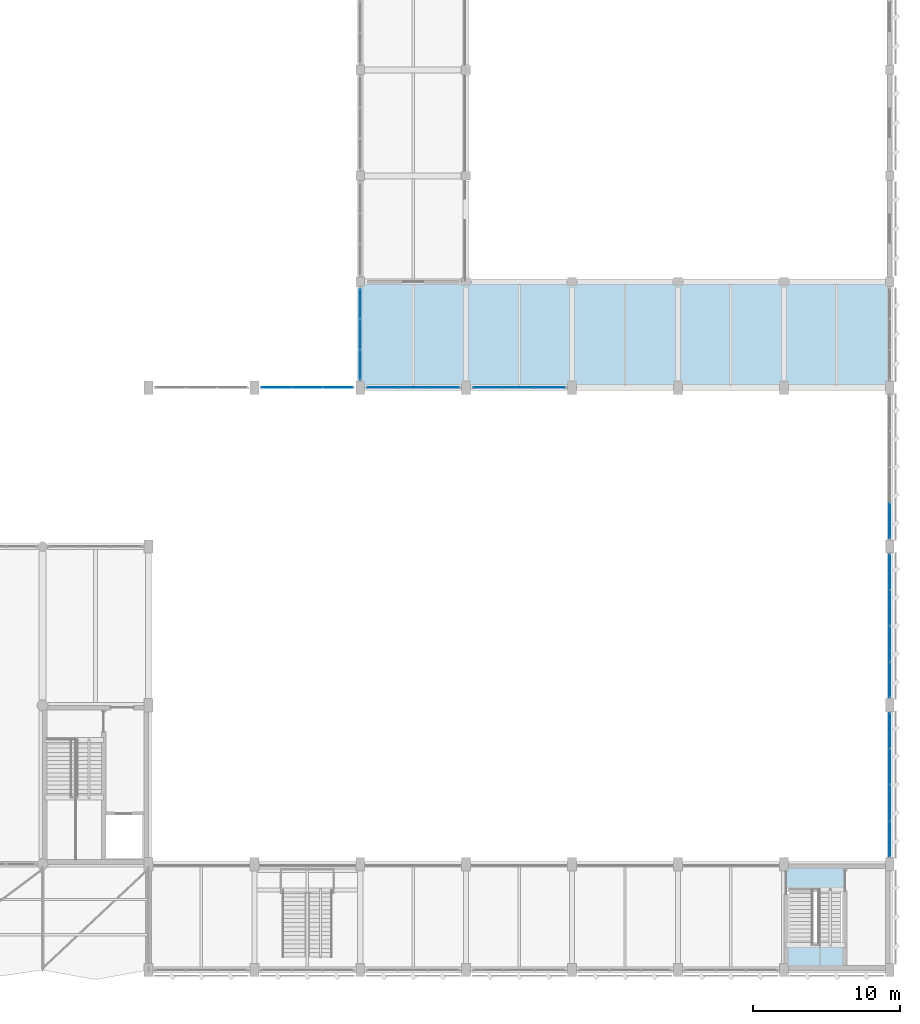
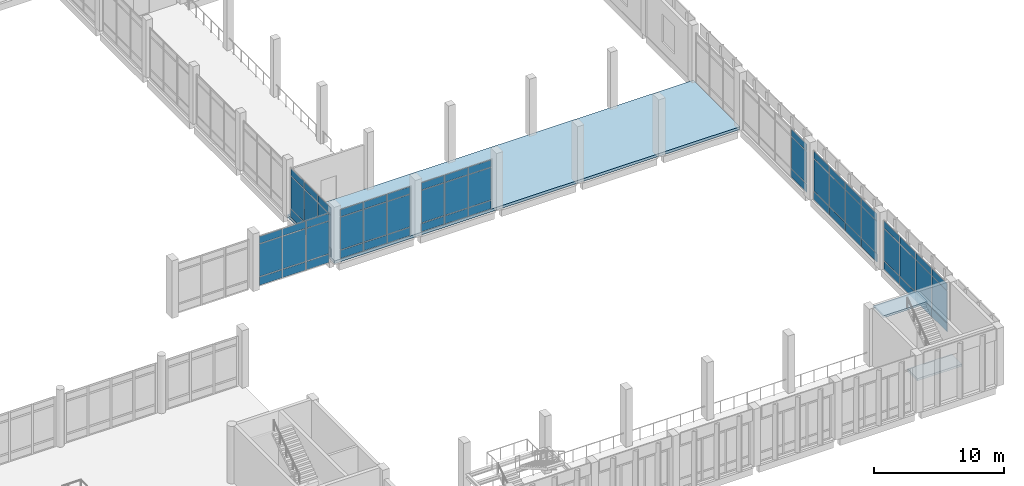
# One storey, part 149 of 180: 63 plates, 3 slabs, 8 elements without a shape of their own.
"""IFC4 building model written with IfcOpenShell, lengths in metres."""

import ifcopenshell
import ifcopenshell.guid

model = None  # the IFC model being written
_history = None  # IfcOwnerHistory: only IFC2X3 demands one
_inside = {}  # id of a spatial element -> (the spatial element, [elements in it])
_under = {}  # id of a project, library or spatial element -> (it, [spatial elements below it])
_declared = {}  # id of a project -> (the project, [libraries it declares])
_typed = {}  # id of a type object -> (the type object, [elements of that type])
_made_of = {}  # id of a material, layer set ... -> (it, [elements and type objects made of it])


def new_model(schema):
    """Start an empty IFC model of exactly this schema.

    Asked for "IFC4X3", IfcOpenShell would pick the latest addendum, in which some entities
    have other attributes; the version numbers below select the first issue.
    IFC2X3 requires an IfcOwnerHistory on every rooted entity: one is made here for all.
    """
    global model, _history
    if schema == "IFC4X3":
        model = ifcopenshell.file(schema_version=(4, 3, 0, 0))
    else:
        model = ifcopenshell.file(schema=schema)
    _inside.clear()
    _under.clear()
    _declared.clear()
    _typed.clear()
    _made_of.clear()
    _history = None
    if model.schema == "IFC2X3":
        org = make("IfcOrganization", Name="unknown")
        user = make(
            "IfcPersonAndOrganization",
            ThePerson=make("IfcPerson", FamilyName="unknown"),
            TheOrganization=org,
        )
        app = make(
            "IfcApplication",
            ApplicationDeveloper=org,
            Version="unknown",
            ApplicationFullName="unknown",
            ApplicationIdentifier="unknown",
        )
        _history = make(
            "IfcOwnerHistory",
            OwningUser=user,
            OwningApplication=app,
            ChangeAction="ADDED",
            CreationDate=0,
        )
    return model


def make(cls, **values):
    """One entity of the class cls with the attributes given. An attribute that is None is left unset."""
    return model.create_entity(
        cls, **{name: value for name, value in values.items() if value is not None}
    )


def rooted(cls, **values):
    """An entity with a GlobalId (a new one), such as an element, a storey or a relation."""
    return make(cls, GlobalId=ifcopenshell.guid.new(), OwnerHistory=_history, **values)


def si_unit(unit_type, name, prefix=None):
    """IfcSIUnit, for example si_unit("LENGTHUNIT", "METRE", prefix="MILLI")."""
    return make("IfcSIUnit", UnitType=unit_type, Prefix=prefix, Name=name)


def assignment(units):
    """IfcUnitAssignment: the units of a project."""
    return None if units is None else make("IfcUnitAssignment", Units=units)


def point(xyz):
    """IfcCartesianPoint."""
    return None if xyz is None else make("IfcCartesianPoint", Coordinates=xyz)


def direction(xyz):
    """IfcDirection."""
    return None if xyz is None else make("IfcDirection", DirectionRatios=xyz)


def frame(location, z_axis=None, x_axis=None):
    """IfcAxis2Placement3D, a coordinate frame: its origin and axes. An axis left out is left unset."""
    return make(
        "IfcAxis2Placement3D",
        Location=point(location),
        Axis=direction(z_axis),
        RefDirection=direction(x_axis),
    )


def frame_2d(location, x_axis=None):
    """IfcAxis2Placement2D, a coordinate frame in the plane: its origin and x axis."""
    return make(
        "IfcAxis2Placement2D", Location=point(location), RefDirection=direction(x_axis)
    )


def origin():
    """The frame at (0, 0, 0) with its axes left unset."""
    return frame((0.0, 0.0, 0.0))


def origin_2d():
    """The frame at (0, 0) in the plane with its x axis left unset."""
    return frame_2d((0.0, 0.0))


def place(relative_to, where):
    """IfcLocalPlacement: puts the frame where relative to a parent placement (None: the world)."""
    return make(
        "IfcLocalPlacement", PlacementRelTo=relative_to, RelativePlacement=where
    )


def context(
    kind, dimensions, precision=None, world=None, true_north=None, identifier=None
):
    """IfcGeometricRepresentationContext, for example the 3D "Model" context."""
    return make(
        "IfcGeometricRepresentationContext",
        ContextIdentifier=identifier,
        ContextType=kind,
        CoordinateSpaceDimension=dimensions,
        Precision=precision,
        WorldCoordinateSystem=world,
        TrueNorth=true_north,
    )


def subcontext(parent, identifier, kind, view, scale=None):
    """IfcGeometricRepresentationSubContext, for example "Body" below "Model"."""
    return make(
        "IfcGeometricRepresentationSubContext",
        ContextIdentifier=identifier,
        ContextType=kind,
        ParentContext=parent,
        TargetScale=scale,
        TargetView=view,
    )


def project(units=None, contexts=None):
    """IfcProject with its units and contexts."""
    return rooted(
        "IfcProject",
        Name="project",
        RepresentationContexts=contexts,
        UnitsInContext=assignment(units),
    )


def spatial(cls, under=None, at=None, **own):
    """A site, building, storey or space (cls), placed at a placement, below another one or the project."""
    s = rooted(cls, ObjectPlacement=at, **own)
    if under is not None:
        _under.setdefault(under.id(), (under, []))[1].append(s)
    return s


def polyline(points):
    """IfcPolyline through the points."""
    return make("IfcPolyline", Points=[point(p) for p in points])


def profile(cls, at=None, kind="AREA", **sizes):
    """A parametric profile (cls). Its sizes go by their IFC names, for example OverallWidth=200.0."""
    return make(cls, ProfileType=kind, Position=at, **sizes)


def rectangle(**sizes):
    """IfcRectangleProfileDef."""
    return profile("IfcRectangleProfileDef", **sizes)


def outline(outer, holes=None, kind="AREA"):
    """IfcArbitraryClosedProfileDef: a profile drawn as a closed curve; with holes, ...WithVoids."""
    if holes is None:
        return make("IfcArbitraryClosedProfileDef", ProfileType=kind, OuterCurve=outer)
    return make(
        "IfcArbitraryProfileDefWithVoids",
        ProfileType=kind,
        OuterCurve=outer,
        InnerCurves=holes,
    )


def extrude(swept, where, along, depth):
    """IfcExtrudedAreaSolid: the profile swept, set in the frame where, extruded along a direction by depth."""
    return make(
        "IfcExtrudedAreaSolid",
        SweptArea=swept,
        Position=where,
        ExtrudedDirection=direction(along),
        Depth=depth,
    )


def shape(context_of_items, identifier, shape_type, items):
    """IfcShapeRepresentation: the items that make up one representation, for example the "Body"."""
    return make(
        "IfcShapeRepresentation",
        ContextOfItems=context_of_items,
        RepresentationIdentifier=identifier,
        RepresentationType=shape_type,
        Items=items,
    )


def material(Name=None, Category=None):
    """IfcMaterial."""
    return make("IfcMaterial", Name=Name, Category=Category)


def layer(
    of_material, thickness, ventilated=None, Name=None, Category=None, Priority=None
):
    """IfcMaterialLayer: one layer of a wall or slab, of a material (None: an air gap)."""
    return make(
        "IfcMaterialLayer",
        Material=of_material,
        LayerThickness=thickness,
        IsVentilated=ventilated,
        Name=Name,
        Category=Category,
        Priority=Priority,
    )


def layer_set(layers, Name=None):
    """IfcMaterialLayerSet."""
    return make("IfcMaterialLayerSet", MaterialLayers=layers, LayerSetName=Name)


def made_of(thing, what):
    """Note that an element or type object is made of a material, layer set ...; save() writes the relation."""
    if what is not None:
        _made_of.setdefault(what.id(), (what, []))[1].append(thing)
    return thing


def type_object(cls, material=None, **own):
    """A type object (cls), such as IfcWallType, which elements share."""
    return made_of(rooted(cls, **own), material)


def element(
    cls,
    number,
    at=None,
    inside=None,
    cuts=None,
    type_object=None,
    material=None,
    context=None,
    identifier="Body",
    shape_type=None,
    held_by="IfcProductDefinitionShape",
    body=None,
    shapes=None,
    **own,
):
    """One element of the class cls, such as IfcWall. Its Tag is "e" and its number.

    at: its placement. inside: the storey or other place that contains it. cuts: it is an
    opening in that element (IfcRelVoidsElement). A single representation is given by context,
    identifier, shape_type and body (its items); several are given by shapes. held_by: the class
    of the entity that holds the representations. save() writes the other relations.
    """
    e = rooted(cls, Tag="e%d" % number, ObjectPlacement=at, **own)
    if body is not None:
        shapes = [shape(context, identifier, shape_type, body)]
    if shapes is not None:
        e.Representation = make(held_by, Representations=shapes)
    if inside is not None:
        _inside.setdefault(inside.id(), (inside, []))[1].append(e)
    if cuts is not None:
        rooted(
            "IfcRelVoidsElement", RelatingBuildingElement=cuts, RelatedOpeningElement=e
        )
    if type_object is not None:
        _typed.setdefault(type_object.id(), (type_object, []))[1].append(e)
    return made_of(e, material)


def aggregate(whole, parts):
    """IfcRelAggregates: a whole, such as a stair, and the parts it consists of."""
    return rooted("IfcRelAggregates", RelatingObject=whole, RelatedObjects=parts)


def save(model, path):
    """Write the relations noted so far, then the file.

    IfcRelAggregates (storeys below a building ...), IfcRelContainedInSpatialStructure (elements
    in a storey), IfcRelDefinesByType, IfcRelAssociatesMaterial and IfcRelDeclares: one each for
    every whole, place, type object, material and project.
    """
    for whole, parts in _under.values():
        aggregate(whole, parts)
    for where, things in _inside.values():
        rooted(
            "IfcRelContainedInSpatialStructure",
            RelatedElements=things,
            RelatingStructure=where,
        )
    for kind, things in _typed.values():
        rooted("IfcRelDefinesByType", RelatedObjects=things, RelatingType=kind)
    for what, things in _made_of.values():
        rooted("IfcRelAssociatesMaterial", RelatedObjects=things, RelatingMaterial=what)
    for by, libraries in _declared.values():
        rooted("IfcRelDeclares", RelatingContext=by, RelatedDefinitions=libraries)
    model.write(path)


model = new_model("IFC4")

# Units and contexts
model_context = context("Model", 3, precision=1e-05, world=origin(), true_north=direction((0.0, 1.0)))
body_context = subcontext(model_context, "Body", "Model", "MODEL_VIEW")
ifc_project = project(units=[si_unit("LENGTHUNIT", "METRE"), si_unit("AREAUNIT", "SQUARE_METRE"), si_unit("VOLUMEUNIT", "CUBIC_METRE"), si_unit("PLANEANGLEUNIT", "RADIAN"), si_unit("MASSUNIT", "GRAM", prefix="KILO")], contexts=[model_context])

# Site, building, storey
site_placement = place(None, origin())
site = spatial("IfcSite", under=ifc_project, at=site_placement, CompositionType="ELEMENT")
building_placement = place(site_placement, origin())
building = spatial("IfcBuilding", under=site, at=building_placement, Name="Lusvemor Sports Hall", CompositionType="ELEMENT")
storey_placement = place(building_placement, frame((0.0, 0.0, 5.39990234375)))
storey = spatial("IfcBuildingStorey", under=building, at=storey_placement, Name="L01", CompositionType="ELEMENT", Elevation=5.39990234375)

# Curtain wall, plates
ifc_material_1 = material(Name="Thermally broken bronze-anodized aluminium", Category="aluminium")
curtain_wall_type_1 = type_object("IfcCurtainWallType", Name="CW_COURT_C", PredefinedType="NOTDEFINED", material=ifc_material_1)
curtain_wall_1_placement = place(storey_placement, origin())
curtain_wall_1 = element("IfcCurtainWall", 1, at=curtain_wall_1_placement, inside=storey, type_object=curtain_wall_type_1, Name="Curtain Wall CW-V2N-L01-1", PredefinedType="NOTDEFINED")
ifc_material_2 = material(Name="Solar-control laminated double glazing", Category="glass")
ifc_layer_1 = layer(ifc_material_2, 0.028076171875)
ifc_layer_set_1 = layer_set([ifc_layer_1], Name="Solar-control laminated double glazing")
plate_type_1 = type_object("IfcPlateType", Name="CW_PAN_GLZ_28", PredefinedType="CURTAIN_PANEL", material=ifc_layer_set_1)
plate_1_placement = place(storey_placement, frame((127.509521484375, 39.60009765625, 0.880126953125), z_axis=(0.0, 0.0, 1.0), x_axis=(1.0, 0.0, 0.0)))
plate_1 = element("IfcPlate", 2, at=plate_1_placement, type_object=plate_type_1, Name="CW03 panel 1.2", PredefinedType="CURTAIN_PANEL", context=body_context, shape_type="SweptSolid", body=[
    extrude(rectangle(XDim=2.00927734375, YDim=0.028076171875, at=origin_2d()), origin(), (0.0, 0.0, 1.0), 3.0400390625),
])
plate_2_placement = place(storey_placement, frame((127.509521484375, 39.60009765625, 3.97998046875), z_axis=(0.0, 0.0, 1.0), x_axis=(1.0, 0.0, 0.0)))
plate_2 = element("IfcPlate", 3, at=plate_2_placement, type_object=plate_type_1, Name="CW03 panel 1.3", PredefinedType="CURTAIN_PANEL", context=body_context, shape_type="SweptSolid", body=[
    extrude(rectangle(XDim=2.00927734375, YDim=0.028076171875, at=origin_2d()), origin(), (0.0, 0.0, 1.0), 0.659912109375),
])
plate_3_placement = place(storey_placement, frame((129.60009765625, 39.60009765625, 0.880126953125), z_axis=(0.0, 0.0, 1.0), x_axis=(1.0, 0.0, 0.0)))
plate_3 = element("IfcPlate", 4, at=plate_3_placement, type_object=plate_type_1, Name="CW03 panel 2.2", PredefinedType="CURTAIN_PANEL", context=body_context, shape_type="SweptSolid", body=[
    extrude(rectangle(XDim=2.041748046875, YDim=0.028076171875, at=origin_2d()), origin(), (0.0, 0.0, 1.0), 3.0400390625),
])
plate_4_placement = place(storey_placement, frame((129.60009765625, 39.60009765625, 3.97998046875), z_axis=(0.0, 0.0, 1.0), x_axis=(1.0, 0.0, 0.0)))
plate_4 = element("IfcPlate", 5, at=plate_4_placement, type_object=plate_type_1, Name="CW03 panel 2.3", PredefinedType="CURTAIN_PANEL", context=body_context, shape_type="SweptSolid", body=[
    extrude(rectangle(XDim=2.041748046875, YDim=0.028076171875, at=origin_2d()), origin(), (0.0, 0.0, 1.0), 0.659912109375),
])
plate_5_placement = place(storey_placement, frame((131.6904296875, 39.60009765625, 0.880126953125), z_axis=(0.0, 0.0, 1.0), x_axis=(1.0, 0.0, 0.0)))
plate_5 = element("IfcPlate", 6, at=plate_5_placement, type_object=plate_type_1, Name="CW03 panel 3.2", PredefinedType="CURTAIN_PANEL", context=body_context, shape_type="SweptSolid", body=[
    extrude(rectangle(XDim=2.00927734375, YDim=0.028076171875, at=origin_2d()), origin(), (0.0, 0.0, 1.0), 3.0400390625),
])
plate_6_placement = place(storey_placement, frame((131.6904296875, 39.60009765625, 3.97998046875), z_axis=(0.0, 0.0, 1.0), x_axis=(1.0, 0.0, 0.0)))
plate_6 = element("IfcPlate", 7, at=plate_6_placement, type_object=plate_type_1, Name="CW03 panel 3.3", PredefinedType="CURTAIN_PANEL", context=body_context, shape_type="SweptSolid", body=[
    extrude(rectangle(XDim=2.00927734375, YDim=0.028076171875, at=origin_2d()), origin(), (0.0, 0.0, 1.0), 0.659912109375),
])

curtain_wall_2_placement = place(storey_placement, origin())
curtain_wall_2 = element("IfcCurtainWall", 8, at=curtain_wall_2_placement, inside=storey, type_object=curtain_wall_type_1, Name="Curtain Wall CW-V2N-L01-2", PredefinedType="NOTDEFINED")
plate_7_placement = place(storey_placement, frame((134.70947265625, 39.60009765625, 0.880126953125), z_axis=(0.0, 0.0, 1.0), x_axis=(1.0, 0.0, 0.0)))
plate_7 = element("IfcPlate", 9, at=plate_7_placement, type_object=plate_type_1, Name="CW03 panel 1.2", PredefinedType="CURTAIN_PANEL", context=body_context, shape_type="SweptSolid", body=[
    extrude(rectangle(XDim=2.00927734375, YDim=0.028076171875, at=origin_2d()), origin(), (0.0, 0.0, 1.0), 3.0400390625),
])
plate_8_placement = place(storey_placement, frame((134.70947265625, 39.60009765625, 3.97998046875), z_axis=(0.0, 0.0, 1.0), x_axis=(1.0, 0.0, 0.0)))
plate_8 = element("IfcPlate", 10, at=plate_8_placement, type_object=plate_type_1, Name="CW03 panel 1.3", PredefinedType="CURTAIN_PANEL", context=body_context, shape_type="SweptSolid", body=[
    extrude(rectangle(XDim=2.00927734375, YDim=0.028076171875, at=origin_2d()), origin(), (0.0, 0.0, 1.0), 0.659912109375),
])
plate_9_placement = place(storey_placement, frame((136.800048828125, 39.60009765625, 0.880126953125), z_axis=(0.0, 0.0, 1.0), x_axis=(1.0, 0.0, 0.0)))
plate_9 = element("IfcPlate", 11, at=plate_9_placement, type_object=plate_type_1, Name="CW03 panel 2.2", PredefinedType="CURTAIN_PANEL", context=body_context, shape_type="SweptSolid", body=[
    extrude(rectangle(XDim=2.041748046875, YDim=0.028076171875, at=origin_2d()), origin(), (0.0, 0.0, 1.0), 3.0400390625),
])
plate_10_placement = place(storey_placement, frame((136.800048828125, 39.60009765625, 3.97998046875), z_axis=(0.0, 0.0, 1.0), x_axis=(1.0, 0.0, 0.0)))
plate_10 = element("IfcPlate", 12, at=plate_10_placement, type_object=plate_type_1, Name="CW03 panel 2.3", PredefinedType="CURTAIN_PANEL", context=body_context, shape_type="SweptSolid", body=[
    extrude(rectangle(XDim=2.041748046875, YDim=0.028076171875, at=origin_2d()), origin(), (0.0, 0.0, 1.0), 0.659912109375),
])
plate_11_placement = place(storey_placement, frame((138.890380859375, 39.60009765625, 0.880126953125), z_axis=(0.0, 0.0, 1.0), x_axis=(1.0, 0.0, 0.0)))
plate_11 = element("IfcPlate", 13, at=plate_11_placement, type_object=plate_type_1, Name="CW03 panel 3.2", PredefinedType="CURTAIN_PANEL", context=body_context, shape_type="SweptSolid", body=[
    extrude(rectangle(XDim=2.00927734375, YDim=0.028076171875, at=origin_2d()), origin(), (0.0, 0.0, 1.0), 3.0400390625),
])
plate_12_placement = place(storey_placement, frame((138.890380859375, 39.60009765625, 3.97998046875), z_axis=(0.0, 0.0, 1.0), x_axis=(1.0, 0.0, 0.0)))
plate_12 = element("IfcPlate", 14, at=plate_12_placement, type_object=plate_type_1, Name="CW03 panel 3.3", PredefinedType="CURTAIN_PANEL", context=body_context, shape_type="SweptSolid", body=[
    extrude(rectangle(XDim=2.00927734375, YDim=0.028076171875, at=origin_2d()), origin(), (0.0, 0.0, 1.0), 0.659912109375),
])

curtain_wall_3_placement = place(storey_placement, origin())
curtain_wall_3 = element("IfcCurtainWall", 15, at=curtain_wall_3_placement, inside=storey, type_object=curtain_wall_type_1, Name="Curtain Wall CW-V2N-L01-3", PredefinedType="NOTDEFINED")
plate_13_placement = place(storey_placement, frame((141.90966796875, 39.60009765625, 0.880126953125), z_axis=(0.0, 0.0, 1.0), x_axis=(1.0, 0.0, 0.0)))
plate_13 = element("IfcPlate", 16, at=plate_13_placement, type_object=plate_type_1, Name="CW03 panel 1.2", PredefinedType="CURTAIN_PANEL", context=body_context, shape_type="SweptSolid", body=[
    extrude(rectangle(XDim=2.00927734375, YDim=0.028076171875, at=origin_2d()), origin(), (0.0, 0.0, 1.0), 3.0400390625),
])
plate_14_placement = place(storey_placement, frame((141.90966796875, 39.60009765625, 3.97998046875), z_axis=(0.0, 0.0, 1.0), x_axis=(1.0, 0.0, 0.0)))
plate_14 = element("IfcPlate", 17, at=plate_14_placement, type_object=plate_type_1, Name="CW03 panel 1.3", PredefinedType="CURTAIN_PANEL", context=body_context, shape_type="SweptSolid", body=[
    extrude(rectangle(XDim=2.00927734375, YDim=0.028076171875, at=origin_2d()), origin(), (0.0, 0.0, 1.0), 0.659912109375),
])
plate_15_placement = place(storey_placement, frame((144.0, 39.60009765625, 0.880126953125), z_axis=(0.0, 0.0, 1.0), x_axis=(1.0, 0.0, 0.0)))
plate_15 = element("IfcPlate", 18, at=plate_15_placement, type_object=plate_type_1, Name="CW03 panel 2.2", PredefinedType="CURTAIN_PANEL", context=body_context, shape_type="SweptSolid", body=[
    extrude(rectangle(XDim=2.041748046875, YDim=0.028076171875, at=origin_2d()), origin(), (0.0, 0.0, 1.0), 3.0400390625),
])
plate_16_placement = place(storey_placement, frame((144.0, 39.60009765625, 3.97998046875), z_axis=(0.0, 0.0, 1.0), x_axis=(1.0, 0.0, 0.0)))
plate_16 = element("IfcPlate", 19, at=plate_16_placement, type_object=plate_type_1, Name="CW03 panel 2.3", PredefinedType="CURTAIN_PANEL", context=body_context, shape_type="SweptSolid", body=[
    extrude(rectangle(XDim=2.041748046875, YDim=0.028076171875, at=origin_2d()), origin(), (0.0, 0.0, 1.0), 0.659912109375),
])
plate_17_placement = place(storey_placement, frame((146.09033203125, 39.60009765625, 0.880126953125), z_axis=(0.0, 0.0, 1.0), x_axis=(1.0, 0.0, 0.0)))
plate_17 = element("IfcPlate", 20, at=plate_17_placement, type_object=plate_type_1, Name="CW03 panel 3.2", PredefinedType="CURTAIN_PANEL", context=body_context, shape_type="SweptSolid", body=[
    extrude(rectangle(XDim=2.00927734375, YDim=0.028076171875, at=origin_2d()), origin(), (0.0, 0.0, 1.0), 3.0400390625),
])
plate_18_placement = place(storey_placement, frame((146.09033203125, 39.60009765625, 3.97998046875), z_axis=(0.0, 0.0, 1.0), x_axis=(1.0, 0.0, 0.0)))
plate_18 = element("IfcPlate", 21, at=plate_18_placement, type_object=plate_type_1, Name="CW03 panel 3.3", PredefinedType="CURTAIN_PANEL", context=body_context, shape_type="SweptSolid", body=[
    extrude(rectangle(XDim=2.00927734375, YDim=0.028076171875, at=origin_2d()), origin(), (0.0, 0.0, 1.0), 0.659912109375),
])

curtain_wall_4_placement = place(storey_placement, origin())
curtain_wall_4 = element("IfcCurtainWall", 22, at=curtain_wall_4_placement, inside=storey, type_object=curtain_wall_type_1, Name="Curtain Wall CW-V2E-L01-1", PredefinedType="NOTDEFINED")
plate_19_placement = place(storey_placement, frame((169.199951171875, 16.273681640625, 0.8798828125), z_axis=(0.0, 0.0, 1.0), x_axis=(0.0, -1.0, 0.0)))
plate_19 = element("IfcPlate", 23, at=plate_19_placement, type_object=plate_type_1, Name="CW03 panel 1.2", PredefinedType="CURTAIN_PANEL", context=body_context, shape_type="SweptSolid", body=[
    extrude(rectangle(XDim=2.362548828125, YDim=0.028076171875, at=origin_2d()), origin(), (0.0, 0.0, 1.0), 2.989990234375),
])
plate_20_placement = place(storey_placement, frame((169.199951171875, 16.273681640625, 3.93017578125), z_axis=(0.0, 0.0, 1.0), x_axis=(0.0, -1.0, 0.0)))
plate_20 = element("IfcPlate", 24, at=plate_20_placement, type_object=plate_type_1, Name="CW03 panel 1.3", PredefinedType="CURTAIN_PANEL", context=body_context, shape_type="SweptSolid", body=[
    extrude(rectangle(XDim=2.362548828125, YDim=0.028076171875, at=origin_2d()), origin(), (0.0, 0.0, 1.0), 0.659912109375),
])
plate_21_placement = place(storey_placement, frame((169.199951171875, 13.830078125, 0.8798828125), z_axis=(0.0, 0.0, 1.0), x_axis=(0.0, -1.0, 0.0)))
plate_21 = element("IfcPlate", 25, at=plate_21_placement, type_object=plate_type_1, Name="CW03 panel 2.2", PredefinedType="CURTAIN_PANEL", context=body_context, shape_type="SweptSolid", body=[
    extrude(rectangle(XDim=2.39501953125, YDim=0.028076171875, at=origin_2d()), origin(), (0.0, 0.0, 1.0), 2.989990234375),
])
plate_22_placement = place(storey_placement, frame((169.199951171875, 13.830078125, 3.93017578125), z_axis=(0.0, 0.0, 1.0), x_axis=(0.0, -1.0, 0.0)))
plate_22 = element("IfcPlate", 26, at=plate_22_placement, type_object=plate_type_1, Name="CW03 panel 2.3", PredefinedType="CURTAIN_PANEL", context=body_context, shape_type="SweptSolid", body=[
    extrude(rectangle(XDim=2.39501953125, YDim=0.028076171875, at=origin_2d()), origin(), (0.0, 0.0, 1.0), 0.659912109375),
])
plate_23_placement = place(storey_placement, frame((169.199951171875, 11.3701171875, 0.8798828125), z_axis=(0.0, 0.0, 1.0), x_axis=(0.0, -1.0, 0.0)))
plate_23 = element("IfcPlate", 27, at=plate_23_placement, type_object=plate_type_1, Name="CW03 panel 3.2", PredefinedType="CURTAIN_PANEL", context=body_context, shape_type="SweptSolid", body=[
    extrude(rectangle(XDim=2.39501953125, YDim=0.028076171875, at=origin_2d()), origin(), (0.0, 0.0, 1.0), 2.989990234375),
])
plate_24_placement = place(storey_placement, frame((169.199951171875, 11.3701171875, 3.93017578125), z_axis=(0.0, 0.0, 1.0), x_axis=(0.0, -1.0, 0.0)))
plate_24 = element("IfcPlate", 28, at=plate_24_placement, type_object=plate_type_1, Name="CW03 panel 3.3", PredefinedType="CURTAIN_PANEL", context=body_context, shape_type="SweptSolid", body=[
    extrude(rectangle(XDim=2.39501953125, YDim=0.028076171875, at=origin_2d()), origin(), (0.0, 0.0, 1.0), 0.659912109375),
])
plate_25_placement = place(storey_placement, frame((169.199951171875, 8.92626953125, 0.8798828125), z_axis=(0.0, 0.0, 1.0), x_axis=(0.0, -1.0, 0.0)))
plate_25 = element("IfcPlate", 29, at=plate_25_placement, type_object=plate_type_1, Name="CW03 panel 4.2", PredefinedType="CURTAIN_PANEL", context=body_context, shape_type="SweptSolid", body=[
    extrude(rectangle(XDim=2.362548828125, YDim=0.028076171875, at=origin_2d()), origin(), (0.0, 0.0, 1.0), 2.989990234375),
])
plate_26_placement = place(storey_placement, frame((169.199951171875, 8.92626953125, 3.93017578125), z_axis=(0.0, 0.0, 1.0), x_axis=(0.0, -1.0, 0.0)))
plate_26 = element("IfcPlate", 30, at=plate_26_placement, type_object=plate_type_1, Name="CW03 panel 4.3", PredefinedType="CURTAIN_PANEL", context=body_context, shape_type="SweptSolid", body=[
    extrude(rectangle(XDim=2.362548828125, YDim=0.028076171875, at=origin_2d()), origin(), (0.0, 0.0, 1.0), 0.659912109375),
])

curtain_wall_5_placement = place(storey_placement, origin())
curtain_wall_5 = element("IfcCurtainWall", 31, at=curtain_wall_5_placement, inside=storey, type_object=curtain_wall_type_1, Name="Curtain Wall CW-V2E-L01-2", PredefinedType="NOTDEFINED")
plate_27_placement = place(storey_placement, frame((169.199951171875, 27.07373046875, 0.8798828125), z_axis=(0.0, 0.0, 1.0), x_axis=(0.0, -1.0, 0.0)))
plate_27 = element("IfcPlate", 32, at=plate_27_placement, type_object=plate_type_1, Name="CW03 panel 1.2", PredefinedType="CURTAIN_PANEL", context=body_context, shape_type="SweptSolid", body=[
    extrude(rectangle(XDim=2.362548828125, YDim=0.028076171875, at=origin_2d()), origin(), (0.0, 0.0, 1.0), 2.989990234375),
])
plate_28_placement = place(storey_placement, frame((169.199951171875, 27.07373046875, 3.93017578125), z_axis=(0.0, 0.0, 1.0), x_axis=(0.0, -1.0, 0.0)))
plate_28 = element("IfcPlate", 33, at=plate_28_placement, type_object=plate_type_1, Name="CW03 panel 1.3", PredefinedType="CURTAIN_PANEL", context=body_context, shape_type="SweptSolid", body=[
    extrude(rectangle(XDim=2.362548828125, YDim=0.028076171875, at=origin_2d()), origin(), (0.0, 0.0, 1.0), 0.659912109375),
])
plate_29_placement = place(storey_placement, frame((169.199951171875, 24.6298828125, 0.8798828125), z_axis=(0.0, 0.0, 1.0), x_axis=(0.0, -1.0, 0.0)))
plate_29 = element("IfcPlate", 34, at=plate_29_placement, type_object=plate_type_1, Name="CW03 panel 2.2", PredefinedType="CURTAIN_PANEL", context=body_context, shape_type="SweptSolid", body=[
    extrude(rectangle(XDim=2.39501953125, YDim=0.028076171875, at=origin_2d()), origin(), (0.0, 0.0, 1.0), 2.989990234375),
])
plate_30_placement = place(storey_placement, frame((169.199951171875, 24.6298828125, 3.93017578125), z_axis=(0.0, 0.0, 1.0), x_axis=(0.0, -1.0, 0.0)))
plate_30 = element("IfcPlate", 35, at=plate_30_placement, type_object=plate_type_1, Name="CW03 panel 2.3", PredefinedType="CURTAIN_PANEL", context=body_context, shape_type="SweptSolid", body=[
    extrude(rectangle(XDim=2.39501953125, YDim=0.028076171875, at=origin_2d()), origin(), (0.0, 0.0, 1.0), 0.659912109375),
])
plate_31_placement = place(storey_placement, frame((169.199951171875, 22.169921875, 0.8798828125), z_axis=(0.0, 0.0, 1.0), x_axis=(0.0, -1.0, 0.0)))
plate_31 = element("IfcPlate", 36, at=plate_31_placement, type_object=plate_type_1, Name="CW03 panel 3.2", PredefinedType="CURTAIN_PANEL", context=body_context, shape_type="SweptSolid", body=[
    extrude(rectangle(XDim=2.39501953125, YDim=0.028076171875, at=origin_2d()), origin(), (0.0, 0.0, 1.0), 2.989990234375),
])
plate_32_placement = place(storey_placement, frame((169.199951171875, 22.169921875, 3.93017578125), z_axis=(0.0, 0.0, 1.0), x_axis=(0.0, -1.0, 0.0)))
plate_32 = element("IfcPlate", 37, at=plate_32_placement, type_object=plate_type_1, Name="CW03 panel 3.3", PredefinedType="CURTAIN_PANEL", context=body_context, shape_type="SweptSolid", body=[
    extrude(rectangle(XDim=2.39501953125, YDim=0.028076171875, at=origin_2d()), origin(), (0.0, 0.0, 1.0), 0.659912109375),
])
plate_33_placement = place(storey_placement, frame((169.199951171875, 19.726318359375, 0.8798828125), z_axis=(0.0, 0.0, 1.0), x_axis=(0.0, -1.0, 0.0)))
plate_33 = element("IfcPlate", 38, at=plate_33_placement, type_object=plate_type_1, Name="CW03 panel 4.2", PredefinedType="CURTAIN_PANEL", context=body_context, shape_type="SweptSolid", body=[
    extrude(rectangle(XDim=2.362548828125, YDim=0.028076171875, at=origin_2d()), origin(), (0.0, 0.0, 1.0), 2.989990234375),
])
plate_34_placement = place(storey_placement, frame((169.199951171875, 19.726318359375, 3.93017578125), z_axis=(0.0, 0.0, 1.0), x_axis=(0.0, -1.0, 0.0)))
plate_34 = element("IfcPlate", 39, at=plate_34_placement, type_object=plate_type_1, Name="CW03 panel 4.3", PredefinedType="CURTAIN_PANEL", context=body_context, shape_type="SweptSolid", body=[
    extrude(rectangle(XDim=2.362548828125, YDim=0.028076171875, at=origin_2d()), origin(), (0.0, 0.0, 1.0), 0.659912109375),
])

curtain_wall_6_placement = place(storey_placement, origin())
curtain_wall_6 = element("IfcCurtainWall", 40, at=curtain_wall_6_placement, inside=storey, type_object=curtain_wall_type_1, Name="Curtain Wall CW-V2E-L01-3", PredefinedType="NOTDEFINED")
plate_35_placement = place(storey_placement, frame((169.199951171875, 30.5263671875, 0.8798828125), z_axis=(0.0, 0.0, 1.0), x_axis=(0.0, -1.0, 0.0)))
plate_35 = element("IfcPlate", 41, at=plate_35_placement, type_object=plate_type_1, Name="CW03 panel 4.2", PredefinedType="CURTAIN_PANEL", context=body_context, shape_type="SweptSolid", body=[
    extrude(rectangle(XDim=2.362548828125, YDim=0.028076171875, at=origin_2d()), origin(), (0.0, 0.0, 1.0), 2.989990234375),
])
plate_36_placement = place(storey_placement, frame((169.199951171875, 30.5263671875, 3.93017578125), z_axis=(0.0, 0.0, 1.0), x_axis=(0.0, -1.0, 0.0)))
plate_36 = element("IfcPlate", 42, at=plate_36_placement, type_object=plate_type_1, Name="CW03 panel 4.3", PredefinedType="CURTAIN_PANEL", context=body_context, shape_type="SweptSolid", body=[
    extrude(rectangle(XDim=2.362548828125, YDim=0.028076171875, at=origin_2d()), origin(), (0.0, 0.0, 1.0), 0.659912109375),
])

ifc_material_3 = material(Name="Thermally broken bronze-anodized aluminium", Category="aluminium")
curtain_wall_type_2 = type_object("IfcCurtainWallType", Name="CW_PASSAGE_E", PredefinedType="NOTDEFINED", material=ifc_material_3)
curtain_wall_7_placement = place(storey_placement, origin())
curtain_wall_7 = element("IfcCurtainWall", 43, at=curtain_wall_7_placement, inside=storey, type_object=curtain_wall_type_2, Name="Curtain Wall CW-ELINK-133-L01", PredefinedType="NOTDEFINED")
plate_37_placement = place(storey_placement, frame((133.199951171875, 41.142822265625, 0.880126953125), z_axis=(0.0, 0.0, 1.0), x_axis=(0.0, 1.0, 0.0)))
plate_37 = element("IfcPlate", 44, at=plate_37_placement, type_object=plate_type_1, Name="CW05 panel 1.2", PredefinedType="CURTAIN_PANEL", context=body_context, shape_type="SweptSolid", body=[
    extrude(rectangle(XDim=1.995849609375, YDim=0.028076171875, at=origin_2d()), origin(), (0.0, 0.0, 1.0), 3.0400390625),
])
plate_38_placement = place(storey_placement, frame((133.199951171875, 41.142822265625, 3.97998046875), z_axis=(0.0, 0.0, 1.0), x_axis=(0.0, 1.0, 0.0)))
plate_38 = element("IfcPlate", 45, at=plate_38_placement, type_object=plate_type_1, Name="CW05 panel 1.3", PredefinedType="CURTAIN_PANEL", context=body_context, shape_type="SweptSolid", body=[
    extrude(rectangle(XDim=1.995849609375, YDim=0.028076171875, at=origin_2d()), origin(), (0.0, 0.0, 1.0), 0.659912109375),
])
plate_39_placement = place(storey_placement, frame((133.199951171875, 43.219970703125, 0.880126953125), z_axis=(0.0, 0.0, 1.0), x_axis=(0.0, 1.0, 0.0)))
plate_39 = element("IfcPlate", 46, at=plate_39_placement, type_object=plate_type_1, Name="CW05 panel 2.2", PredefinedType="CURTAIN_PANEL", context=body_context, shape_type="SweptSolid", body=[
    extrude(rectangle(XDim=2.0283203125, YDim=0.028076171875, at=origin_2d()), origin(), (0.0, 0.0, 1.0), 3.0400390625),
])
plate_40_placement = place(storey_placement, frame((133.199951171875, 43.219970703125, 3.97998046875), z_axis=(0.0, 0.0, 1.0), x_axis=(0.0, 1.0, 0.0)))
plate_40 = element("IfcPlate", 47, at=plate_40_placement, type_object=plate_type_1, Name="CW05 panel 2.3", PredefinedType="CURTAIN_PANEL", context=body_context, shape_type="SweptSolid", body=[
    extrude(rectangle(XDim=2.0283203125, YDim=0.028076171875, at=origin_2d()), origin(), (0.0, 0.0, 1.0), 0.659912109375),
])
plate_41_placement = place(storey_placement, frame((133.199951171875, 45.297119140625, 0.880126953125), z_axis=(0.0, 0.0, 1.0), x_axis=(0.0, 1.0, 0.0)))
plate_41 = element("IfcPlate", 48, at=plate_41_placement, type_object=plate_type_1, Name="CW05 panel 3.2", PredefinedType="CURTAIN_PANEL", context=body_context, shape_type="SweptSolid", body=[
    extrude(rectangle(XDim=1.995849609375, YDim=0.028076171875, at=origin_2d()), origin(), (0.0, 0.0, 1.0), 3.0400390625),
])
plate_42_placement = place(storey_placement, frame((133.199951171875, 45.297119140625, 3.97998046875), z_axis=(0.0, 0.0, 1.0), x_axis=(0.0, 1.0, 0.0)))
plate_42 = element("IfcPlate", 49, at=plate_42_placement, type_object=plate_type_1, Name="CW05 panel 3.3", PredefinedType="CURTAIN_PANEL", context=body_context, shape_type="SweptSolid", body=[
    extrude(rectangle(XDim=1.995849609375, YDim=0.028076171875, at=origin_2d()), origin(), (0.0, 0.0, 1.0), 0.659912109375),
])

# Plate
ifc_material_4 = material(Name="Emerald polychrome glazed ceramic cladding on Concrete C40/50 backing", Category="concrete")
ifc_layer_2 = layer(ifc_material_4, 0.048095703125)
ifc_layer_set_2 = layer_set([ifc_layer_2], Name="Emerald polychrome glazed ceramic cladding on Concrete C40/50 backing")
plate_type_2 = type_object("IfcPlateType", Name="CW_PAN_SPN_48", PredefinedType="CURTAIN_PANEL", material=ifc_layer_set_2)
plate_43_placement = place(storey_placement, frame((127.509521484375, 39.60009765625, 0.06005859375), z_axis=(0.0, 0.0, 1.0), x_axis=(1.0, 0.0, 0.0)))
plate_43 = element("IfcPlate", 50, at=plate_43_placement, type_object=plate_type_2, Name="CW03 panel 1.1", PredefinedType="CURTAIN_PANEL", context=body_context, shape_type="SweptSolid", body=[
    extrude(rectangle(XDim=2.00927734375, YDim=0.048095703125, at=origin_2d()), origin(), (0.0, 0.0, 1.0), 0.760009765625),
])

plate_44_placement = place(storey_placement, frame((129.60009765625, 39.60009765625, 0.06005859375), z_axis=(0.0, 0.0, 1.0), x_axis=(1.0, 0.0, 0.0)))
plate_44 = element("IfcPlate", 51, at=plate_44_placement, type_object=plate_type_2, Name="CW03 panel 2.1", PredefinedType="CURTAIN_PANEL", context=body_context, shape_type="SweptSolid", body=[
    extrude(rectangle(XDim=2.041748046875, YDim=0.048095703125, at=origin_2d()), origin(), (0.0, 0.0, 1.0), 0.760009765625),
])

plate_45_placement = place(storey_placement, frame((131.6904296875, 39.60009765625, 0.06005859375), z_axis=(0.0, 0.0, 1.0), x_axis=(1.0, 0.0, 0.0)))
plate_45 = element("IfcPlate", 52, at=plate_45_placement, type_object=plate_type_2, Name="CW03 panel 3.1", PredefinedType="CURTAIN_PANEL", context=body_context, shape_type="SweptSolid", body=[
    extrude(rectangle(XDim=2.00927734375, YDim=0.048095703125, at=origin_2d()), origin(), (0.0, 0.0, 1.0), 0.760009765625),
])

aggregate(curtain_wall_1, [plate_43, plate_1, plate_2, plate_44, plate_3, plate_4, plate_45, plate_5, plate_6])

plate_46_placement = place(storey_placement, frame((134.70947265625, 39.60009765625, 0.06005859375), z_axis=(0.0, 0.0, 1.0), x_axis=(1.0, 0.0, 0.0)))
plate_46 = element("IfcPlate", 53, at=plate_46_placement, type_object=plate_type_2, Name="CW03 panel 1.1", PredefinedType="CURTAIN_PANEL", context=body_context, shape_type="SweptSolid", body=[
    extrude(rectangle(XDim=2.00927734375, YDim=0.048095703125, at=origin_2d()), origin(), (0.0, 0.0, 1.0), 0.760009765625),
])

plate_47_placement = place(storey_placement, frame((136.800048828125, 39.60009765625, 0.06005859375), z_axis=(0.0, 0.0, 1.0), x_axis=(1.0, 0.0, 0.0)))
plate_47 = element("IfcPlate", 54, at=plate_47_placement, type_object=plate_type_2, Name="CW03 panel 2.1", PredefinedType="CURTAIN_PANEL", context=body_context, shape_type="SweptSolid", body=[
    extrude(rectangle(XDim=2.041748046875, YDim=0.048095703125, at=origin_2d()), origin(), (0.0, 0.0, 1.0), 0.760009765625),
])

plate_48_placement = place(storey_placement, frame((138.890380859375, 39.60009765625, 0.06005859375), z_axis=(0.0, 0.0, 1.0), x_axis=(1.0, 0.0, 0.0)))
plate_48 = element("IfcPlate", 55, at=plate_48_placement, type_object=plate_type_2, Name="CW03 panel 3.1", PredefinedType="CURTAIN_PANEL", context=body_context, shape_type="SweptSolid", body=[
    extrude(rectangle(XDim=2.00927734375, YDim=0.048095703125, at=origin_2d()), origin(), (0.0, 0.0, 1.0), 0.760009765625),
])

aggregate(curtain_wall_2, [plate_46, plate_7, plate_8, plate_47, plate_9, plate_10, plate_48, plate_11, plate_12])

plate_49_placement = place(storey_placement, frame((141.90966796875, 39.60009765625, 0.06005859375), z_axis=(0.0, 0.0, 1.0), x_axis=(1.0, 0.0, 0.0)))
plate_49 = element("IfcPlate", 56, at=plate_49_placement, type_object=plate_type_2, Name="CW03 panel 1.1", PredefinedType="CURTAIN_PANEL", context=body_context, shape_type="SweptSolid", body=[
    extrude(rectangle(XDim=2.00927734375, YDim=0.048095703125, at=origin_2d()), origin(), (0.0, 0.0, 1.0), 0.760009765625),
])

plate_50_placement = place(storey_placement, frame((144.0, 39.60009765625, 0.06005859375), z_axis=(0.0, 0.0, 1.0), x_axis=(1.0, 0.0, 0.0)))
plate_50 = element("IfcPlate", 57, at=plate_50_placement, type_object=plate_type_2, Name="CW03 panel 2.1", PredefinedType="CURTAIN_PANEL", context=body_context, shape_type="SweptSolid", body=[
    extrude(rectangle(XDim=2.041748046875, YDim=0.048095703125, at=origin_2d()), origin(), (0.0, 0.0, 1.0), 0.760009765625),
])

plate_51_placement = place(storey_placement, frame((146.09033203125, 39.60009765625, 0.06005859375), z_axis=(0.0, 0.0, 1.0), x_axis=(1.0, 0.0, 0.0)))
plate_51 = element("IfcPlate", 58, at=plate_51_placement, type_object=plate_type_2, Name="CW03 panel 3.1", PredefinedType="CURTAIN_PANEL", context=body_context, shape_type="SweptSolid", body=[
    extrude(rectangle(XDim=2.00927734375, YDim=0.048095703125, at=origin_2d()), origin(), (0.0, 0.0, 1.0), 0.760009765625),
])

aggregate(curtain_wall_3, [plate_49, plate_13, plate_14, plate_50, plate_15, plate_16, plate_51, plate_17, plate_18])

plate_52_placement = place(storey_placement, frame((169.199951171875, 16.273681640625, 0.06005859375), z_axis=(0.0, 0.0, 1.0), x_axis=(0.0, -1.0, 0.0)))
plate_52 = element("IfcPlate", 59, at=plate_52_placement, type_object=plate_type_2, Name="CW03 panel 1.1", PredefinedType="CURTAIN_PANEL", context=body_context, shape_type="SweptSolid", body=[
    extrude(rectangle(XDim=2.362548828125, YDim=0.048095703125, at=origin_2d()), origin(), (0.0, 0.0, 1.0), 0.760009765625),
])

plate_53_placement = place(storey_placement, frame((169.199951171875, 13.830078125, 0.06005859375), z_axis=(0.0, 0.0, 1.0), x_axis=(0.0, -1.0, 0.0)))
plate_53 = element("IfcPlate", 60, at=plate_53_placement, type_object=plate_type_2, Name="CW03 panel 2.1", PredefinedType="CURTAIN_PANEL", context=body_context, shape_type="SweptSolid", body=[
    extrude(rectangle(XDim=2.39501953125, YDim=0.048095703125, at=origin_2d()), origin(), (0.0, 0.0, 1.0), 0.760009765625),
])

plate_54_placement = place(storey_placement, frame((169.199951171875, 11.3701171875, 0.06005859375), z_axis=(0.0, 0.0, 1.0), x_axis=(0.0, -1.0, 0.0)))
plate_54 = element("IfcPlate", 61, at=plate_54_placement, type_object=plate_type_2, Name="CW03 panel 3.1", PredefinedType="CURTAIN_PANEL", context=body_context, shape_type="SweptSolid", body=[
    extrude(rectangle(XDim=2.39501953125, YDim=0.048095703125, at=origin_2d()), origin(), (0.0, 0.0, 1.0), 0.760009765625),
])

plate_55_placement = place(storey_placement, frame((169.199951171875, 8.92626953125, 0.06005859375), z_axis=(0.0, 0.0, 1.0), x_axis=(0.0, -1.0, 0.0)))
plate_55 = element("IfcPlate", 62, at=plate_55_placement, type_object=plate_type_2, Name="CW03 panel 4.1", PredefinedType="CURTAIN_PANEL", context=body_context, shape_type="SweptSolid", body=[
    extrude(rectangle(XDim=2.362548828125, YDim=0.048095703125, at=origin_2d()), origin(), (0.0, 0.0, 1.0), 0.760009765625),
])

aggregate(curtain_wall_4, [plate_52, plate_19, plate_20, plate_53, plate_21, plate_22, plate_54, plate_23, plate_24, plate_55, plate_25, plate_26])

plate_56_placement = place(storey_placement, frame((169.199951171875, 27.07373046875, 0.06005859375), z_axis=(0.0, 0.0, 1.0), x_axis=(0.0, -1.0, 0.0)))
plate_56 = element("IfcPlate", 63, at=plate_56_placement, type_object=plate_type_2, Name="CW03 panel 1.1", PredefinedType="CURTAIN_PANEL", context=body_context, shape_type="SweptSolid", body=[
    extrude(rectangle(XDim=2.362548828125, YDim=0.048095703125, at=origin_2d()), origin(), (0.0, 0.0, 1.0), 0.760009765625),
])

plate_57_placement = place(storey_placement, frame((169.199951171875, 24.6298828125, 0.06005859375), z_axis=(0.0, 0.0, 1.0), x_axis=(0.0, -1.0, 0.0)))
plate_57 = element("IfcPlate", 64, at=plate_57_placement, type_object=plate_type_2, Name="CW03 panel 2.1", PredefinedType="CURTAIN_PANEL", context=body_context, shape_type="SweptSolid", body=[
    extrude(rectangle(XDim=2.39501953125, YDim=0.048095703125, at=origin_2d()), origin(), (0.0, 0.0, 1.0), 0.760009765625),
])

plate_58_placement = place(storey_placement, frame((169.199951171875, 22.169921875, 0.06005859375), z_axis=(0.0, 0.0, 1.0), x_axis=(0.0, -1.0, 0.0)))
plate_58 = element("IfcPlate", 65, at=plate_58_placement, type_object=plate_type_2, Name="CW03 panel 3.1", PredefinedType="CURTAIN_PANEL", context=body_context, shape_type="SweptSolid", body=[
    extrude(rectangle(XDim=2.39501953125, YDim=0.048095703125, at=origin_2d()), origin(), (0.0, 0.0, 1.0), 0.760009765625),
])

plate_59_placement = place(storey_placement, frame((169.199951171875, 19.726318359375, 0.06005859375), z_axis=(0.0, 0.0, 1.0), x_axis=(0.0, -1.0, 0.0)))
plate_59 = element("IfcPlate", 66, at=plate_59_placement, type_object=plate_type_2, Name="CW03 panel 4.1", PredefinedType="CURTAIN_PANEL", context=body_context, shape_type="SweptSolid", body=[
    extrude(rectangle(XDim=2.362548828125, YDim=0.048095703125, at=origin_2d()), origin(), (0.0, 0.0, 1.0), 0.760009765625),
])

aggregate(curtain_wall_5, [plate_56, plate_27, plate_28, plate_57, plate_29, plate_30, plate_58, plate_31, plate_32, plate_59, plate_33, plate_34])

plate_60_placement = place(storey_placement, frame((169.199951171875, 30.5263671875, 0.06005859375), z_axis=(0.0, 0.0, 1.0), x_axis=(0.0, -1.0, 0.0)))
plate_60 = element("IfcPlate", 67, at=plate_60_placement, type_object=plate_type_2, Name="CW03 panel 4.1", PredefinedType="CURTAIN_PANEL", context=body_context, shape_type="SweptSolid", body=[
    extrude(rectangle(XDim=2.362548828125, YDim=0.048095703125, at=origin_2d()), origin(), (0.0, 0.0, 1.0), 0.760009765625),
])

aggregate(curtain_wall_6, [plate_60, plate_35, plate_36])

plate_61_placement = place(storey_placement, frame((133.199951171875, 41.142822265625, 0.06005859375), z_axis=(0.0, 0.0, 1.0), x_axis=(0.0, 1.0, 0.0)))
plate_61 = element("IfcPlate", 68, at=plate_61_placement, type_object=plate_type_2, Name="CW05 panel 1.1", PredefinedType="CURTAIN_PANEL", context=body_context, shape_type="SweptSolid", body=[
    extrude(rectangle(XDim=1.995849609375, YDim=0.048095703125, at=origin_2d()), origin(), (0.0, 0.0, 1.0), 0.760009765625),
])

plate_62_placement = place(storey_placement, frame((133.199951171875, 43.219970703125, 0.06005859375), z_axis=(0.0, 0.0, 1.0), x_axis=(0.0, 1.0, 0.0)))
plate_62 = element("IfcPlate", 69, at=plate_62_placement, type_object=plate_type_2, Name="CW05 panel 2.1", PredefinedType="CURTAIN_PANEL", context=body_context, shape_type="SweptSolid", body=[
    extrude(rectangle(XDim=2.0283203125, YDim=0.048095703125, at=origin_2d()), origin(), (0.0, 0.0, 1.0), 0.760009765625),
])

plate_63_placement = place(storey_placement, frame((133.199951171875, 45.297119140625, 0.06005859375), z_axis=(0.0, 0.0, 1.0), x_axis=(0.0, 1.0, 0.0)))
plate_63 = element("IfcPlate", 70, at=plate_63_placement, type_object=plate_type_2, Name="CW05 panel 3.1", PredefinedType="CURTAIN_PANEL", context=body_context, shape_type="SweptSolid", body=[
    extrude(rectangle(XDim=1.995849609375, YDim=0.048095703125, at=origin_2d()), origin(), (0.0, 0.0, 1.0), 0.760009765625),
])

aggregate(curtain_wall_7, [plate_61, plate_37, plate_38, plate_62, plate_39, plate_40, plate_63, plate_41, plate_42])

# Slab
ifc_material_5 = material(Name="Concrete C40/50", Category="concrete")
ifc_layer_3 = layer(ifc_material_5, 0.260009765625)
ifc_layer_set_3 = layer_set([ifc_layer_3], Name="Concrete C40/50")
slab_type_1 = type_object("IfcSlabType", Name="SLAB_INT_260", PredefinedType="FLOOR", material=ifc_layer_set_3)
slab_1_placement = place(storey_placement, frame((0.0, 0.0, -0.260009765625)))
element("IfcSlab", 71, at=slab_1_placement, inside=storey, type_object=slab_type_1, Name="Slab L01 V5-ELINK", PredefinedType="FLOOR", context=body_context, shape_type="SweptSolid", body=[
    extrude(outline(polyline([(133.199951171875, 39.60009765625), (169.199951171875, 39.60009765625), (169.199951171875, 46.800048828125), (133.199951171875, 46.800048828125), (133.199951171875, 39.60009765625)])), origin(), (0.0, 0.0, 1.0), 0.260009765625),
])

# Stair, slabs
ifc_material_6 = material(Name="Concrete C40/50", Category="concrete")
stair_type = type_object("IfcStairType", Name="STAIR_CORE_540_C", PredefinedType="HALF_TURN_STAIR", material=ifc_material_6)
stair_placement = place(storey_placement, origin())
stair = element("IfcStair", 72, at=stair_placement, inside=storey, type_object=stair_type, Name="Escape Stair C8 (L01)", PredefinedType="HALF_TURN_STAIR")
ifc_material_7 = material(Name="Concrete C40/50", Category="concrete")
ifc_layer_4 = layer(ifc_material_7, 0.199951171875)
ifc_layer_set_4 = layer_set([ifc_layer_4], Name="Concrete C40/50")
slab_type_2 = type_object("IfcSlabType", Name="SLAB_LAND_200", PredefinedType="LANDING", material=ifc_layer_set_4)
slab_2_placement = place(storey_placement, frame((0.0, 0.0, 2.5)))
slab_2 = element("IfcSlab", 73, at=slab_2_placement, type_object=slab_type_2, Name="ST05 landing 1", PredefinedType="LANDING", context=body_context, shape_type="SweptSolid", body=[
    extrude(outline(polyline([(162.179931640625, 0.179931640625), (166.1201171875, 0.179931640625), (166.1201171875, 1.739990234375), (162.179931640625, 1.739990234375), (162.179931640625, 0.179931640625)])), origin(), (0.0, 0.0, 1.0), 0.2001953125),
])
slab_3_placement = place(storey_placement, frame((0.0, 0.0, 5.2001953125)))
slab_3 = element("IfcSlab", 74, at=slab_3_placement, type_object=slab_type_2, Name="ST05 landing 2", PredefinedType="LANDING", context=body_context, shape_type="SweptSolid", body=[
    extrude(outline(polyline([(162.179931640625, 5.43994140625), (166.1201171875, 5.43994140625), (166.1201171875, 7.02001953125), (162.179931640625, 7.02001953125), (162.179931640625, 5.43994140625)])), origin(), (0.0, 0.0, 1.0), 0.199951171875),
])
aggregate(stair, [slab_2, slab_3])

save(model, "model.ifc")
